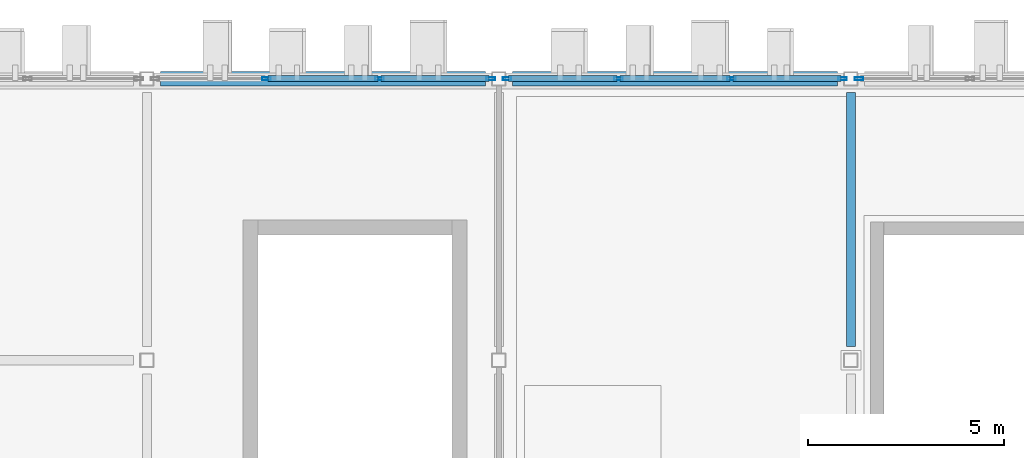
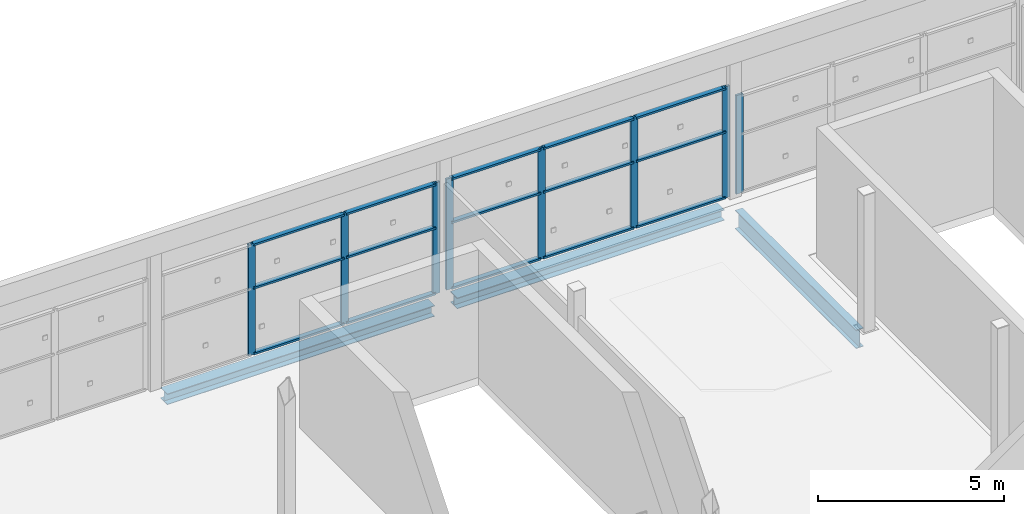
# One storey, part 73 of 124: 23 members, 3 beams, 3 elements without a shape of their own.
"""IFC4 building model written with IfcOpenShell, lengths in metres."""

from ifc_helpers import new_model, si_unit, direction, frame, origin, origin_2d, place, context, subcontext, project, spatial, hollow_rectangle, i_section, extrude, material, layer, layer_set, material_profile, profile_set, type_object, element, aggregate, save


model = new_model("IFC4")

# Units and contexts
model_context = context("Model", 3, precision=1e-05, world=origin(), true_north=direction((0.0, 1.0)))
body_context = subcontext(model_context, "Body", "Model", "MODEL_VIEW")
ifc_project = project(units=[si_unit("LENGTHUNIT", "METRE"), si_unit("AREAUNIT", "SQUARE_METRE"), si_unit("VOLUMEUNIT", "CUBIC_METRE"), si_unit("PLANEANGLEUNIT", "RADIAN"), si_unit("MASSUNIT", "GRAM", prefix="KILO")], contexts=[model_context])

# Site, building, storey
site_placement = place(None, origin())
site = spatial("IfcSite", under=ifc_project, at=site_placement, CompositionType="ELEMENT")
building_placement = place(site_placement, origin())
building = spatial("IfcBuilding", under=site, at=building_placement, Name="Celestram Park Convention Centre", CompositionType="ELEMENT")
storey_placement = place(building_placement, frame((0.0, 0.0, 15.300048828125)))
storey = spatial("IfcBuildingStorey", under=building, at=storey_placement, Name="L03", CompositionType="ELEMENT", Elevation=15.300048828125)

# Curtain wall, members
ifc_material_1 = material(Name="Anodised Aluminium Alloy 6063-T6", Category="aluminium")
ifc_layer_1 = layer(ifc_material_1, 0.179931640625)
ifc_layer_set_1 = layer_set([ifc_layer_1], Name="Anodised Aluminium Alloy 6063-T6")
curtain_wall_type_1 = type_object("IfcCurtainWallType", Name="ARC-CW-865X365", PredefinedType="NOTDEFINED", material=ifc_layer_set_1)
curtain_wall_1_placement = place(storey_placement, origin())
curtain_wall_1 = element("IfcCurtainWall", 1, at=curtain_wall_1_placement, inside=storey, type_object=curtain_wall_type_1, Name="Unitised curtain wall CU-L03-213", PredefinedType="NOTDEFINED")
ifc_material_profile_1 = material_profile(ifc_material_1, hollow_rectangle(XDim=0.074951171875, YDim=0.219970703125, WallThickness=0.00390625, at=origin_2d()), Name="ALU75X220X4")
ifc_profile_set_1 = profile_set([ifc_material_profile_1], Name="Anodised Aluminium Alloy 6063-T6")
member_type_1 = type_object("IfcMemberType", Name="ARC-CWM-180", PredefinedType="MULLION", material=ifc_profile_set_1)
member_1_placement = place(storey_placement, frame((129.0576171875, 165.60009765625, 0.0), z_axis=(0.0, 0.0, 1.0), x_axis=(0.0, 1.0, 0.0)))
member_1 = element("IfcMember", 2, at=member_1_placement, type_object=member_type_1, Name="CW-86X36 mullion 2", PredefinedType="MULLION", context=body_context, shape_type="SweptSolid", body=[
    extrude(hollow_rectangle(XDim=0.074951171875, YDim=0.219970703125, WallThickness=0.00390625, at=origin_2d()), origin(), (0.0, 0.0, 1.0), 3.64794921875),
])
member_2_placement = place(storey_placement, frame((131.9423828125, 165.60009765625, 0.0), z_axis=(0.0, 0.0, 1.0), x_axis=(0.0, 1.0, 0.0)))
member_2 = element("IfcMember", 3, at=member_2_placement, type_object=member_type_1, Name="CW-86X36 mullion 3", PredefinedType="MULLION", context=body_context, shape_type="SweptSolid", body=[
    extrude(hollow_rectangle(XDim=0.074951171875, YDim=0.219970703125, WallThickness=0.00390625, at=origin_2d()), origin(), (0.0, 0.0, 1.0), 3.64794921875),
])
member_3_placement = place(storey_placement, frame((134.78955078125, 165.60009765625, 0.0), z_axis=(0.0, 0.0, 1.0), x_axis=(0.0, 1.0, 0.0)))
member_3 = element("IfcMember", 4, at=member_3_placement, type_object=member_type_1, Name="CW-86X36 mullion 4", PredefinedType="MULLION", context=body_context, shape_type="SweptSolid", body=[
    extrude(hollow_rectangle(XDim=0.074951171875, YDim=0.219970703125, WallThickness=0.00390625, at=origin_2d()), origin(), (0.0, 0.0, 1.0), 3.64794921875),
])

curtain_wall_2_placement = place(storey_placement, origin())
curtain_wall_2 = element("IfcCurtainWall", 5, at=curtain_wall_2_placement, inside=storey, type_object=curtain_wall_type_1, Name="Unitised curtain wall CU-L03-214", PredefinedType="NOTDEFINED")
member_4_placement = place(storey_placement, frame((135.21044921875, 165.60009765625, 0.0), z_axis=(0.0, 0.0, 1.0), x_axis=(0.0, 1.0, 0.0)))
member_4 = element("IfcMember", 6, at=member_4_placement, type_object=member_type_1, Name="CW-86X36 mullion 1", PredefinedType="MULLION", context=body_context, shape_type="SweptSolid", body=[
    extrude(hollow_rectangle(XDim=0.074951171875, YDim=0.219970703125, WallThickness=0.00390625, at=origin_2d()), origin(), (0.0, 0.0, 1.0), 3.64794921875),
])
member_5_placement = place(storey_placement, frame((138.0576171875, 165.60009765625, 0.0), z_axis=(0.0, 0.0, 1.0), x_axis=(0.0, 1.0, 0.0)))
member_5 = element("IfcMember", 7, at=member_5_placement, type_object=member_type_1, Name="CW-86X36 mullion 2", PredefinedType="MULLION", context=body_context, shape_type="SweptSolid", body=[
    extrude(hollow_rectangle(XDim=0.074951171875, YDim=0.219970703125, WallThickness=0.00390625, at=origin_2d()), origin(), (0.0, 0.0, 1.0), 3.64794921875),
])
member_6_placement = place(storey_placement, frame((140.9423828125, 165.60009765625, 0.0), z_axis=(0.0, 0.0, 1.0), x_axis=(0.0, 1.0, 0.0)))
member_6 = element("IfcMember", 8, at=member_6_placement, type_object=member_type_1, Name="CW-86X36 mullion 3", PredefinedType="MULLION", context=body_context, shape_type="SweptSolid", body=[
    extrude(hollow_rectangle(XDim=0.074951171875, YDim=0.219970703125, WallThickness=0.00390625, at=origin_2d()), origin(), (0.0, 0.0, 1.0), 3.64794921875),
])
member_7_placement = place(storey_placement, frame((143.78955078125, 165.60009765625, 0.0), z_axis=(0.0, 0.0, 1.0), x_axis=(0.0, 1.0, 0.0)))
member_7 = element("IfcMember", 9, at=member_7_placement, type_object=member_type_1, Name="CW-86X36 mullion 4", PredefinedType="MULLION", context=body_context, shape_type="SweptSolid", body=[
    extrude(hollow_rectangle(XDim=0.074951171875, YDim=0.219970703125, WallThickness=0.00390625, at=origin_2d()), origin(), (0.0, 0.0, 1.0), 3.64794921875),
])

# Curtain wall, member
ifc_layer_2 = layer(ifc_material_1, 0.179931640625)
ifc_layer_set_2 = layer_set([ifc_layer_2], Name="Anodised Aluminium Alloy 6063-T6")
curtain_wall_type_2 = type_object("IfcCurtainWallType", Name="ARC-CW-863X324", PredefinedType="NOTDEFINED", material=ifc_layer_set_2)
curtain_wall_3_placement = place(storey_placement, origin())
curtain_wall_3 = element("IfcCurtainWall", 10, at=curtain_wall_3_placement, inside=storey, type_object=curtain_wall_type_2, Name="Unitised curtain wall CU-L03-215", PredefinedType="NOTDEFINED")
member_8_placement = place(storey_placement, frame((144.21044921875, 165.60009765625, 0.0), z_axis=(0.0, 0.0, 1.0), x_axis=(0.0, 1.0, 0.0)))
member_8 = element("IfcMember", 11, at=member_8_placement, type_object=member_type_1, Name="CW-86X32 mullion 1", PredefinedType="MULLION", context=body_context, shape_type="SweptSolid", body=[
    extrude(hollow_rectangle(XDim=0.074951171875, YDim=0.219970703125, WallThickness=0.00390625, at=origin_2d()), origin(), (0.0, 0.0, 1.0), 3.239013671875),
])
aggregate(curtain_wall_3, [member_8])

# Member
ifc_material_profile_2 = material_profile(ifc_material_1, hollow_rectangle(XDim=0.14990234375, YDim=0.06494140625, WallThickness=0.0029296875, at=origin_2d()), Name="ALU150X65X3")
ifc_profile_set_2 = profile_set([ifc_material_profile_2], Name="Anodised Aluminium Alloy 6063-T6")
member_type_2 = type_object("IfcMemberType", Name="ARC-CWT-150", PredefinedType="USERDEFINED", material=ifc_profile_set_2)
member_9_placement = place(storey_placement, frame((129.09521484375, 165.60009765625, 0.032470703125), z_axis=(1.0, 0.0, 0.0), x_axis=(0.0, 1.0, 0.0)))
member_9 = element("IfcMember", 12, at=member_9_placement, type_object=member_type_2, Name="CW-86X36 transom 2.1", ObjectType="TRANSOM", PredefinedType="USERDEFINED", context=body_context, shape_type="SweptSolid", body=[
    extrude(hollow_rectangle(XDim=0.14990234375, YDim=0.06494140625, WallThickness=0.0029296875, at=origin_2d()), origin(), (0.0, 0.0, 1.0), 2.8095703125),
])

member_10_placement = place(storey_placement, frame((129.09521484375, 165.60009765625, 2.18896484375), z_axis=(1.0, 0.0, 0.0), x_axis=(0.0, 1.0, 0.0)))
member_10 = element("IfcMember", 13, at=member_10_placement, type_object=member_type_2, Name="CW-86X36 transom 2.2", ObjectType="TRANSOM", PredefinedType="USERDEFINED", context=body_context, shape_type="SweptSolid", body=[
    extrude(hollow_rectangle(XDim=0.14990234375, YDim=0.06494140625, WallThickness=0.0029296875, at=origin_2d()), origin(), (0.0, 0.0, 1.0), 2.8095703125),
])

member_11_placement = place(storey_placement, frame((129.09521484375, 165.60009765625, 3.615478515625), z_axis=(1.0, 0.0, 0.0), x_axis=(0.0, 1.0, 0.0)))
member_11 = element("IfcMember", 14, at=member_11_placement, type_object=member_type_2, Name="CW-86X36 transom 2.3", ObjectType="TRANSOM", PredefinedType="USERDEFINED", context=body_context, shape_type="SweptSolid", body=[
    extrude(hollow_rectangle(XDim=0.14990234375, YDim=0.06494140625, WallThickness=0.0029296875, at=origin_2d()), origin(), (0.0, 0.0, 1.0), 2.8095703125),
])

member_12_placement = place(storey_placement, frame((131.979736328125, 165.60009765625, 0.032470703125), z_axis=(1.0, 0.0, 0.0), x_axis=(0.0, 1.0, 0.0)))
member_12 = element("IfcMember", 15, at=member_12_placement, type_object=member_type_2, Name="CW-86X36 transom 3.1", ObjectType="TRANSOM", PredefinedType="USERDEFINED", context=body_context, shape_type="SweptSolid", body=[
    extrude(hollow_rectangle(XDim=0.14990234375, YDim=0.06494140625, WallThickness=0.0029296875, at=origin_2d()), origin(), (0.0, 0.0, 1.0), 2.772216796875),
])

member_13_placement = place(storey_placement, frame((131.979736328125, 165.60009765625, 2.18896484375), z_axis=(1.0, 0.0, 0.0), x_axis=(0.0, 1.0, 0.0)))
member_13 = element("IfcMember", 16, at=member_13_placement, type_object=member_type_2, Name="CW-86X36 transom 3.2", ObjectType="TRANSOM", PredefinedType="USERDEFINED", context=body_context, shape_type="SweptSolid", body=[
    extrude(hollow_rectangle(XDim=0.14990234375, YDim=0.06494140625, WallThickness=0.0029296875, at=origin_2d()), origin(), (0.0, 0.0, 1.0), 2.772216796875),
])

member_14_placement = place(storey_placement, frame((131.979736328125, 165.60009765625, 3.615478515625), z_axis=(1.0, 0.0, 0.0), x_axis=(0.0, 1.0, 0.0)))
member_14 = element("IfcMember", 17, at=member_14_placement, type_object=member_type_2, Name="CW-86X36 transom 3.3", ObjectType="TRANSOM", PredefinedType="USERDEFINED", context=body_context, shape_type="SweptSolid", body=[
    extrude(hollow_rectangle(XDim=0.14990234375, YDim=0.06494140625, WallThickness=0.0029296875, at=origin_2d()), origin(), (0.0, 0.0, 1.0), 2.772216796875),
])

aggregate(curtain_wall_1, [member_1, member_2, member_3, member_9, member_10, member_11, member_12, member_13, member_14])

member_15_placement = place(storey_placement, frame((135.248046875, 165.60009765625, 0.032470703125), z_axis=(1.0, 0.0, 0.0), x_axis=(0.0, 1.0, 0.0)))
member_15 = element("IfcMember", 18, at=member_15_placement, type_object=member_type_2, Name="CW-86X36 transom 1.1", ObjectType="TRANSOM", PredefinedType="USERDEFINED", context=body_context, shape_type="SweptSolid", body=[
    extrude(hollow_rectangle(XDim=0.14990234375, YDim=0.06494140625, WallThickness=0.0029296875, at=origin_2d()), origin(), (0.0, 0.0, 1.0), 2.772216796875),
])

member_16_placement = place(storey_placement, frame((135.248046875, 165.60009765625, 2.18896484375), z_axis=(1.0, 0.0, 0.0), x_axis=(0.0, 1.0, 0.0)))
member_16 = element("IfcMember", 19, at=member_16_placement, type_object=member_type_2, Name="CW-86X36 transom 1.2", ObjectType="TRANSOM", PredefinedType="USERDEFINED", context=body_context, shape_type="SweptSolid", body=[
    extrude(hollow_rectangle(XDim=0.14990234375, YDim=0.06494140625, WallThickness=0.0029296875, at=origin_2d()), origin(), (0.0, 0.0, 1.0), 2.772216796875),
])

member_17_placement = place(storey_placement, frame((135.248046875, 165.60009765625, 3.615478515625), z_axis=(1.0, 0.0, 0.0), x_axis=(0.0, 1.0, 0.0)))
member_17 = element("IfcMember", 20, at=member_17_placement, type_object=member_type_2, Name="CW-86X36 transom 1.3", ObjectType="TRANSOM", PredefinedType="USERDEFINED", context=body_context, shape_type="SweptSolid", body=[
    extrude(hollow_rectangle(XDim=0.14990234375, YDim=0.06494140625, WallThickness=0.0029296875, at=origin_2d()), origin(), (0.0, 0.0, 1.0), 2.772216796875),
])

member_18_placement = place(storey_placement, frame((138.09521484375, 165.60009765625, 0.032470703125), z_axis=(1.0, 0.0, 0.0), x_axis=(0.0, 1.0, 0.0)))
member_18 = element("IfcMember", 21, at=member_18_placement, type_object=member_type_2, Name="CW-86X36 transom 2.1", ObjectType="TRANSOM", PredefinedType="USERDEFINED", context=body_context, shape_type="SweptSolid", body=[
    extrude(hollow_rectangle(XDim=0.14990234375, YDim=0.06494140625, WallThickness=0.0029296875, at=origin_2d()), origin(), (0.0, 0.0, 1.0), 2.8095703125),
])

member_19_placement = place(storey_placement, frame((138.09521484375, 165.60009765625, 2.18896484375), z_axis=(1.0, 0.0, 0.0), x_axis=(0.0, 1.0, 0.0)))
member_19 = element("IfcMember", 22, at=member_19_placement, type_object=member_type_2, Name="CW-86X36 transom 2.2", ObjectType="TRANSOM", PredefinedType="USERDEFINED", context=body_context, shape_type="SweptSolid", body=[
    extrude(hollow_rectangle(XDim=0.14990234375, YDim=0.06494140625, WallThickness=0.0029296875, at=origin_2d()), origin(), (0.0, 0.0, 1.0), 2.8095703125),
])

member_20_placement = place(storey_placement, frame((138.09521484375, 165.60009765625, 3.615478515625), z_axis=(1.0, 0.0, 0.0), x_axis=(0.0, 1.0, 0.0)))
member_20 = element("IfcMember", 23, at=member_20_placement, type_object=member_type_2, Name="CW-86X36 transom 2.3", ObjectType="TRANSOM", PredefinedType="USERDEFINED", context=body_context, shape_type="SweptSolid", body=[
    extrude(hollow_rectangle(XDim=0.14990234375, YDim=0.06494140625, WallThickness=0.0029296875, at=origin_2d()), origin(), (0.0, 0.0, 1.0), 2.8095703125),
])

member_21_placement = place(storey_placement, frame((140.979736328125, 165.60009765625, 0.032470703125), z_axis=(1.0, 0.0, 0.0), x_axis=(0.0, 1.0, 0.0)))
member_21 = element("IfcMember", 24, at=member_21_placement, type_object=member_type_2, Name="CW-86X36 transom 3.1", ObjectType="TRANSOM", PredefinedType="USERDEFINED", context=body_context, shape_type="SweptSolid", body=[
    extrude(hollow_rectangle(XDim=0.14990234375, YDim=0.06494140625, WallThickness=0.0029296875, at=origin_2d()), origin(), (0.0, 0.0, 1.0), 2.772216796875),
])

member_22_placement = place(storey_placement, frame((140.979736328125, 165.60009765625, 2.18896484375), z_axis=(1.0, 0.0, 0.0), x_axis=(0.0, 1.0, 0.0)))
member_22 = element("IfcMember", 25, at=member_22_placement, type_object=member_type_2, Name="CW-86X36 transom 3.2", ObjectType="TRANSOM", PredefinedType="USERDEFINED", context=body_context, shape_type="SweptSolid", body=[
    extrude(hollow_rectangle(XDim=0.14990234375, YDim=0.06494140625, WallThickness=0.0029296875, at=origin_2d()), origin(), (0.0, 0.0, 1.0), 2.772216796875),
])

member_23_placement = place(storey_placement, frame((140.979736328125, 165.60009765625, 3.615478515625), z_axis=(1.0, 0.0, 0.0), x_axis=(0.0, 1.0, 0.0)))
member_23 = element("IfcMember", 26, at=member_23_placement, type_object=member_type_2, Name="CW-86X36 transom 3.3", ObjectType="TRANSOM", PredefinedType="USERDEFINED", context=body_context, shape_type="SweptSolid", body=[
    extrude(hollow_rectangle(XDim=0.14990234375, YDim=0.06494140625, WallThickness=0.0029296875, at=origin_2d()), origin(), (0.0, 0.0, 1.0), 2.772216796875),
])

aggregate(curtain_wall_2, [member_4, member_5, member_6, member_7, member_15, member_16, member_17, member_18, member_19, member_20, member_21, member_22, member_23])

# Beams
ifc_material_2 = material(Name="Steel ASTM A992 Grade 50", Category="steel")
ifc_material_profile_3 = material_profile(ifc_material_2, i_section(OverallWidth=0.22900390625, OverallDepth=0.612060546875, WebThickness=0.011962890625, FlangeThickness=0.01953125, at=origin_2d()), Name="W24X84")
ifc_profile_set_3 = profile_set([ifc_material_profile_3], Name="Steel ASTM A992 Grade 50")
beam_type_1 = type_object("IfcBeamType", Name="STR-BM-W24X84", PredefinedType="BEAM", material=ifc_profile_set_3)
beam_placement = place(storey_placement, frame((144.0, 158.748046875, -0.55615234375), z_axis=(0.0, 1.0, 0.0), x_axis=(-1.0, 0.0, 0.0)))
element("IfcBeam", 27, at=beam_placement, inside=storey, type_object=beam_type_1, Name="Primary Y-girder BG-L03-0243", PredefinedType="BEAM", context=body_context, shape_type="SweptSolid", body=[
    extrude(i_section(OverallWidth=0.22900390625, OverallDepth=0.612060546875, WebThickness=0.011962890625, FlangeThickness=0.01953125, at=origin_2d()), origin(), (0.0, 0.0, 1.0), 6.50390625),
])
ifc_material_profile_4 = material_profile(ifc_material_2, i_section(OverallWidth=0.367919921875, OverallDepth=0.35595703125, WebThickness=0.01123046875, FlangeThickness=0.01806640625, at=origin_2d()), Name="W14X90")
ifc_profile_set_4 = profile_set([ifc_material_profile_4], Name="Steel ASTM A992 Grade 50")
beam_type_2 = type_object("IfcBeamType", Name="STR-SPN-W14X90", PredefinedType="SPANDREL", material=ifc_profile_set_4)
for number, where, z_axis, x_axis, name in (
    (28, (126.347900390625, 165.60009765625, -0.427978515625), (1.0, 0.0, 0.0), (0.0, 1.0, 0.0), "Primary X-girder BG-L03-0180"),
    (29, (135.347900390625, 165.60009765625, -0.427978515625), (1.0, 0.0, 0.0), (0.0, 1.0, 0.0), "Primary X-girder BG-L03-0214"),
):
    element("IfcBeam", number, at=place(storey_placement, frame(where, z_axis=z_axis, x_axis=x_axis)), inside=storey, type_object=beam_type_2, Name=name, PredefinedType="SPANDREL", context=body_context, shape_type="SweptSolid", body=[
        extrude(i_section(OverallWidth=0.367919921875, OverallDepth=0.35595703125, WebThickness=0.01123046875, FlangeThickness=0.01806640625, at=origin_2d()), origin(), (0.0, 0.0, 1.0), 8.30419921875),
    ])

save(model, "model.ifc")
